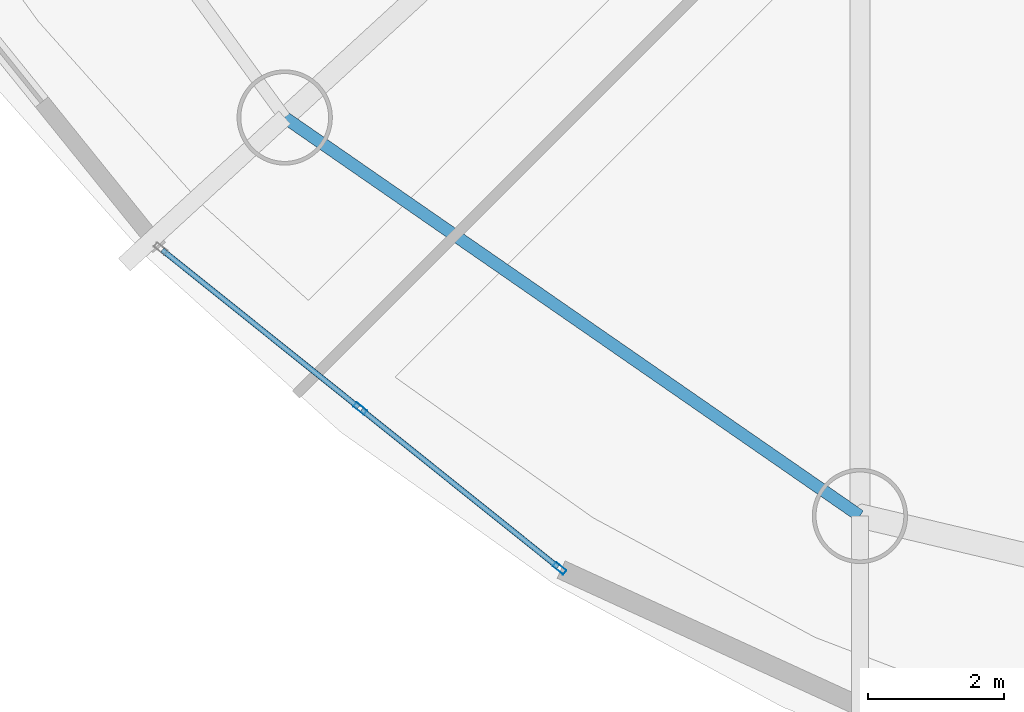
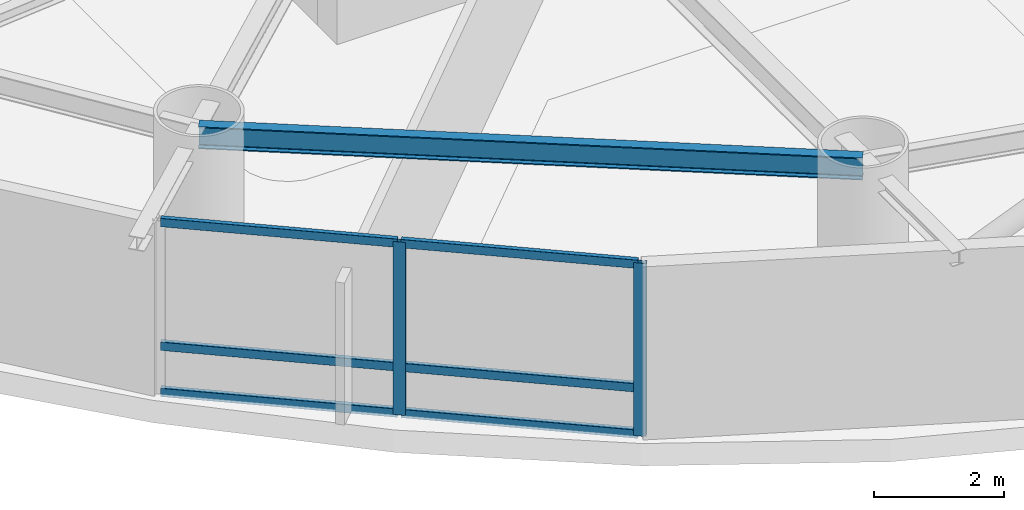
# One storey, part 2 of 21: 8 members, 1 beam, 1 element without a shape of its own.
"""IFC4 building model written with IfcOpenShell, lengths in metres."""

from ifc_helpers import new_model, si_unit, direction, frame, origin, origin_2d, place, context, subcontext, project, spatial, hollow_rectangle, i_section, extrude, material, layer, layer_set, material_profile, profile_set, type_object, element, aggregate, save


model = new_model("IFC4")

# Units and contexts
model_context = context("Model", 3, precision=1e-05, world=origin(), true_north=direction((0.0, 1.0)))
body_context = subcontext(model_context, "Body", "Model", "MODEL_VIEW")
ifc_project = project(units=[si_unit("LENGTHUNIT", "METRE"), si_unit("AREAUNIT", "SQUARE_METRE"), si_unit("VOLUMEUNIT", "CUBIC_METRE"), si_unit("PLANEANGLEUNIT", "RADIAN"), si_unit("MASSUNIT", "GRAM", prefix="KILO")], contexts=[model_context])

# Site, building, storey
site_placement = place(None, origin())
site = spatial("IfcSite", under=ifc_project, at=site_placement, CompositionType="ELEMENT")
building_placement = place(site_placement, origin())
building = spatial("IfcBuilding", under=site, at=building_placement, Name="Bramvorn Convention Spire", CompositionType="ELEMENT")
storey_placement = place(building_placement, frame((0.0, 0.0, 102.800048828125)))
storey = spatial("IfcBuildingStorey", under=building, at=storey_placement, Name="L24", CompositionType="ELEMENT", Elevation=102.800048828125)

# Beam
ifc_material_1 = material(Name="Steel CSA G40.21 Grade 350 (350W)", Category="steel")
ifc_material_profile_1 = material_profile(ifc_material_1, i_section(OverallWidth=0.180908203125, OverallDepth=0.4169921875, WebThickness=0.010986328125, FlangeThickness=0.018310546875, FilletRadius=0.01611328125, at=origin_2d()))
ifc_profile_set_1 = profile_set([ifc_material_profile_1], Name="Steel CSA G40.21 Grade 350 (350W) - W410X85")
beam_type = type_object("IfcBeamType", Name="BM-W410X85", PredefinedType="JOIST", material=ifc_profile_set_1)
beam_placement = place(storey_placement, frame((21.465087890625, 13.700927734375, 3.051513671875), z_axis=(0.822033166673, -0.569439613032, 0.0), x_axis=(0.569439613032, 0.822033166673, 0.0)))
element("IfcBeam", 1, at=beam_placement, inside=storey, type_object=beam_type, Name="L24 mega-column ring beam 12", PredefinedType="JOIST", context=body_context, shape_type="SweptSolid", body=[
    extrude(i_section(OverallWidth=0.180908203125, OverallDepth=0.4169921875, WebThickness=0.010986328125, FlangeThickness=0.018310546875, FilletRadius=0.01611328125, at=origin_2d()), origin(), (0.0, 0.0, 1.0), 10.281982421875),
])

# Curtain wall, members
ifc_material_2 = material(Name="Anodised Bronze Unitised Curtain Wall", Category="aluminium")
ifc_layer = layer(ifc_material_2, 0.179931640625)
ifc_layer_set = layer_set([ifc_layer], Name="Anodised Bronze Unitised Curtain Wall - CW-HTL-FRIT")
curtain_wall_type = type_object("IfcCurtainWallType", Name="CW-HTL-FRIT", PredefinedType="USERDEFINED", material=ifc_layer_set)
curtain_wall_placement = place(storey_placement, origin())
curtain_wall = element("IfcCurtainWall", 2, at=curtain_wall_placement, inside=storey, type_object=curtain_wall_type, Name="L24 fritted glass curtain wall 17", ObjectType="UNITISED CURTAIN WALL", PredefinedType="USERDEFINED")
ifc_material_3 = material(Name="Anodised Bronze Aluminium 6063-T6", Category="aluminium")
ifc_material_profile_2 = material_profile(ifc_material_3, hollow_rectangle(XDim=0.080078125, YDim=0.199951171875, WallThickness=0.00390625, InnerFilletRadius=0.0009765625, OuterFilletRadius=0.00390625, at=origin_2d()))
ifc_profile_set_2 = profile_set([ifc_material_profile_2], Name="Anodised Bronze Aluminium 6063-T6 - CWM80X200")
member_type_1 = type_object("IfcMemberType", Name="CW-MUL-180", PredefinedType="MULLION", material=ifc_profile_set_2)
member_1_placement = place(storey_placement, frame((25.503173828125, 7.07666015625, 0.0), z_axis=(0.0, 0.0, 1.0), x_axis=(-0.625245906892, -0.78042780314, 0.0)))
member_1 = element("IfcMember", 3, at=member_1_placement, type_object=member_type_1, Name="CW2 mullion 1", PredefinedType="MULLION", context=body_context, shape_type="SweptSolid", body=[
    extrude(hollow_rectangle(XDim=0.080078125, YDim=0.199951171875, WallThickness=0.00390625, InnerFilletRadius=0.0009765625, OuterFilletRadius=0.00390625, at=origin_2d()), origin(), (0.0, 0.0, 1.0), 3.260009765625),
])
member_2_placement = place(storey_placement, frame((22.572998046875, 9.42431640625, 0.0), z_axis=(0.0, 0.0, 1.0), x_axis=(-0.625245906892, -0.78042780314, 0.0)))
member_2 = element("IfcMember", 4, at=member_2_placement, type_object=member_type_1, Name="CW2 mullion 2", PredefinedType="MULLION", context=body_context, shape_type="SweptSolid", body=[
    extrude(hollow_rectangle(XDim=0.080078125, YDim=0.199951171875, WallThickness=0.00390625, InnerFilletRadius=0.0009765625, OuterFilletRadius=0.00390625, at=origin_2d()), origin(), (0.0, 0.0, 1.0), 3.260009765625),
])
ifc_material_profile_3 = material_profile(ifc_material_3, hollow_rectangle(XDim=0.080078125, YDim=0.159912109375, WallThickness=0.00390625, InnerFilletRadius=0.0009765625, OuterFilletRadius=0.00390625, at=origin_2d()))
ifc_profile_set_3 = profile_set([ifc_material_profile_3], Name="Anodised Bronze Aluminium 6063-T6 - CWT80X160")
member_type_2 = type_object("IfcMemberType", Name="CW-TRN-150", PredefinedType="USERDEFINED", material=ifc_profile_set_3)
member_3_placement = place(storey_placement, frame((25.479736328125, 7.095458984375, 0.030029296875), z_axis=(-0.78044315271, 0.62522674718, 0.0), x_axis=(-0.62522674718, -0.78044315271, 0.0)))
member_3 = element("IfcMember", 5, at=member_3_placement, type_object=member_type_2, Name="CW2 transom 1.1", ObjectType="TRANSOM", PredefinedType="USERDEFINED", context=body_context, shape_type="SweptSolid", body=[
    extrude(hollow_rectangle(XDim=0.080078125, YDim=0.159912109375, WallThickness=0.00390625, InnerFilletRadius=0.0009765625, OuterFilletRadius=0.00390625, at=origin_2d()), origin(), (0.0, 0.0, 1.0), 3.69482421875),
])
member_4_placement = place(storey_placement, frame((25.479736328125, 7.095458984375, 0.89990234375), z_axis=(-0.78044315271, 0.62522674718, 0.0), x_axis=(-0.62522674718, -0.78044315271, 0.0)))
member_4 = element("IfcMember", 6, at=member_4_placement, type_object=member_type_2, Name="CW2 transom 1.2", ObjectType="TRANSOM", PredefinedType="USERDEFINED", context=body_context, shape_type="SweptSolid", body=[
    extrude(hollow_rectangle(XDim=0.080078125, YDim=0.159912109375, WallThickness=0.00390625, InnerFilletRadius=0.0009765625, OuterFilletRadius=0.00390625, at=origin_2d()), origin(), (0.0, 0.0, 1.0), 3.69482421875),
])
member_5_placement = place(storey_placement, frame((25.479736328125, 7.095458984375, 3.22998046875), z_axis=(-0.78044315271, 0.62522674718, 0.0), x_axis=(-0.62522674718, -0.78044315271, 0.0)))
member_5 = element("IfcMember", 7, at=member_5_placement, type_object=member_type_2, Name="CW2 transom 1.3", ObjectType="TRANSOM", PredefinedType="USERDEFINED", context=body_context, shape_type="SweptSolid", body=[
    extrude(hollow_rectangle(XDim=0.080078125, YDim=0.159912109375, WallThickness=0.00390625, InnerFilletRadius=0.0009765625, OuterFilletRadius=0.00390625, at=origin_2d()), origin(), (0.0, 0.0, 1.0), 3.69482421875),
])
member_6_placement = place(storey_placement, frame((22.549560546875, 9.44287109375, 0.030029296875), z_axis=(-0.78044315271, 0.62522674718, 0.0), x_axis=(-0.62522674718, -0.78044315271, 0.0)))
member_6 = element("IfcMember", 8, at=member_6_placement, type_object=member_type_2, Name="CW2 transom 2.1", ObjectType="TRANSOM", PredefinedType="USERDEFINED", context=body_context, shape_type="SweptSolid", body=[
    extrude(hollow_rectangle(XDim=0.080078125, YDim=0.159912109375, WallThickness=0.00390625, InnerFilletRadius=0.0009765625, OuterFilletRadius=0.00390625, at=origin_2d()), origin(), (0.0, 0.0, 1.0), 3.69482421875),
])
member_7_placement = place(storey_placement, frame((22.549560546875, 9.44287109375, 0.89990234375), z_axis=(-0.78044315271, 0.62522674718, 0.0), x_axis=(-0.62522674718, -0.78044315271, 0.0)))
member_7 = element("IfcMember", 9, at=member_7_placement, type_object=member_type_2, Name="CW2 transom 2.2", ObjectType="TRANSOM", PredefinedType="USERDEFINED", context=body_context, shape_type="SweptSolid", body=[
    extrude(hollow_rectangle(XDim=0.080078125, YDim=0.159912109375, WallThickness=0.00390625, InnerFilletRadius=0.0009765625, OuterFilletRadius=0.00390625, at=origin_2d()), origin(), (0.0, 0.0, 1.0), 3.69482421875),
])
member_8_placement = place(storey_placement, frame((22.549560546875, 9.44287109375, 3.22998046875), z_axis=(-0.78044315271, 0.62522674718, 0.0), x_axis=(-0.62522674718, -0.78044315271, 0.0)))
member_8 = element("IfcMember", 10, at=member_8_placement, type_object=member_type_2, Name="CW2 transom 2.3", ObjectType="TRANSOM", PredefinedType="USERDEFINED", context=body_context, shape_type="SweptSolid", body=[
    extrude(hollow_rectangle(XDim=0.080078125, YDim=0.159912109375, WallThickness=0.00390625, InnerFilletRadius=0.0009765625, OuterFilletRadius=0.00390625, at=origin_2d()), origin(), (0.0, 0.0, 1.0), 3.69482421875),
])
aggregate(curtain_wall, [member_1, member_2, member_3, member_4, member_5, member_6, member_7, member_8])

save(model, "model.ifc")
